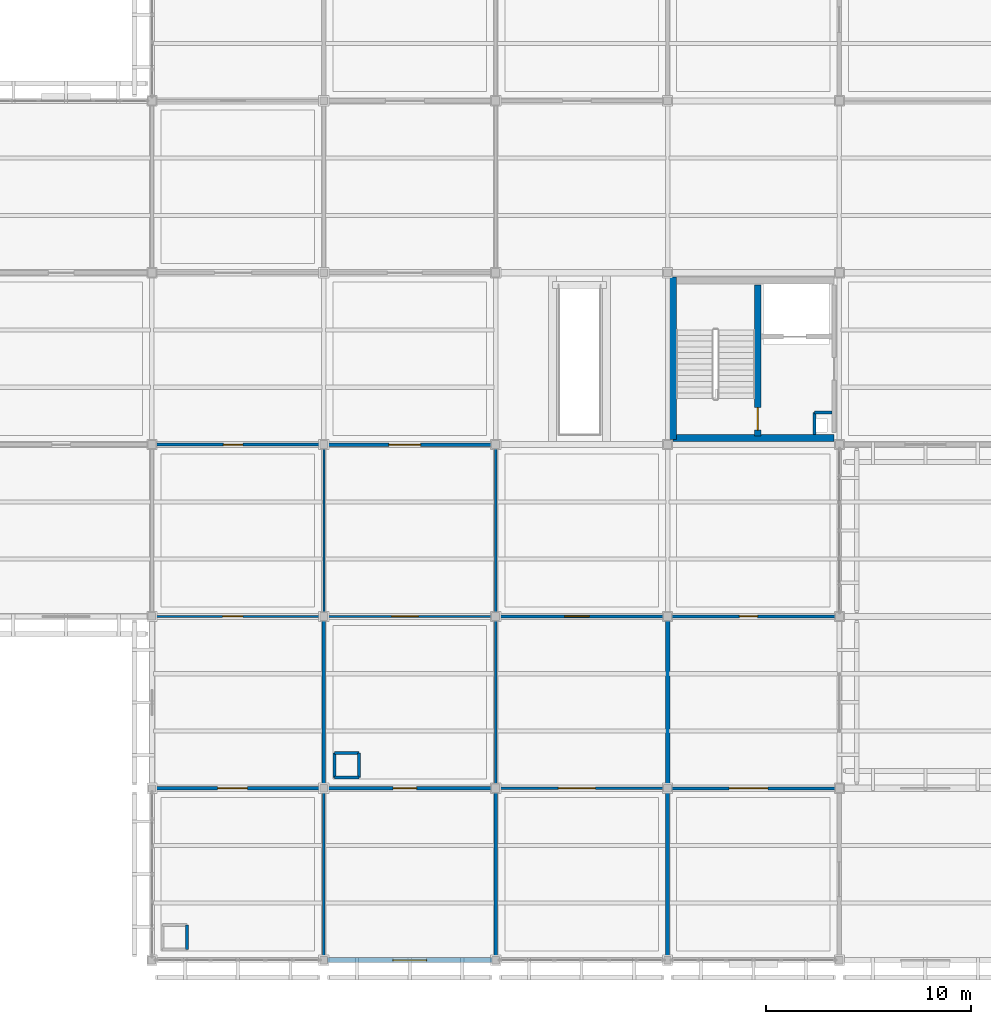
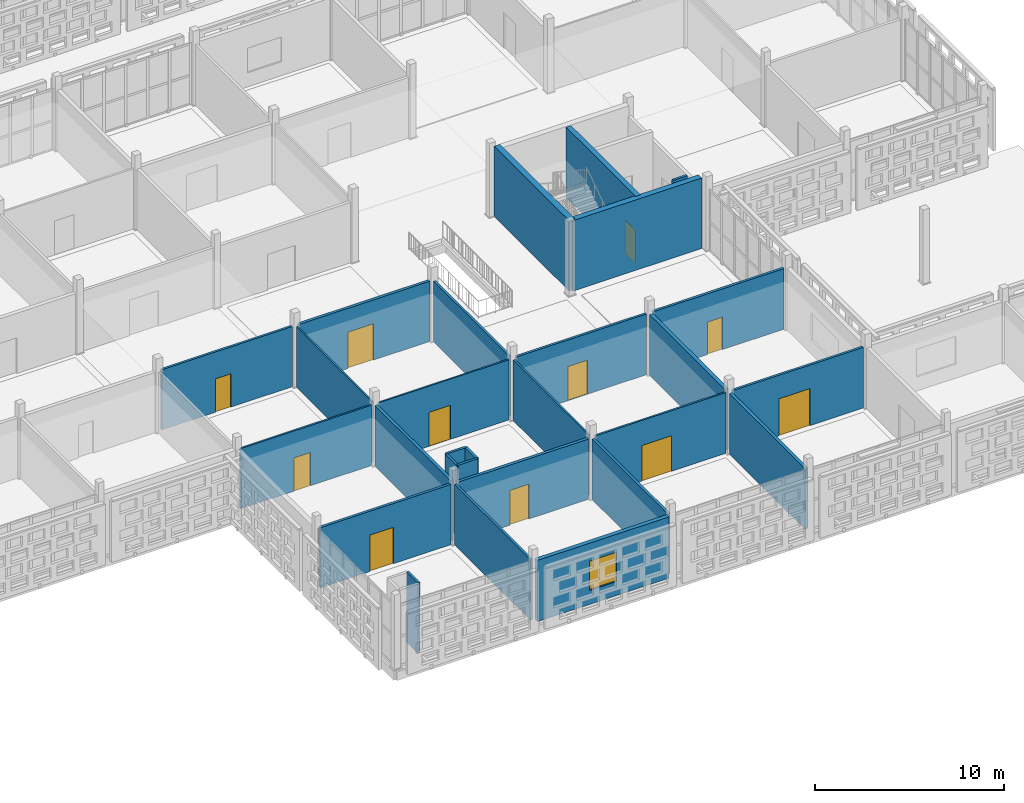
# One storey, part 124 of 203: 29 walls, 11 doors, 1 window, 12 openings.
"""IFC4 building model written with IfcOpenShell, lengths in metres."""

from ifc_helpers import new_model, si_unit, direction, frame, frame_2d, origin, place, context, subcontext, project, spatial, rectangle, extrude, material, layer, layer_set, type_object, element, fill, save


model = new_model("IFC4")

# Units and contexts
model_context = context("Model", 3, precision=1e-05, world=origin(), true_north=direction((0.0, 1.0)))
body_context = subcontext(model_context, "Body", "Model", "MODEL_VIEW")
ifc_project = project(units=[si_unit("LENGTHUNIT", "METRE"), si_unit("AREAUNIT", "SQUARE_METRE"), si_unit("VOLUMEUNIT", "CUBIC_METRE"), si_unit("PLANEANGLEUNIT", "RADIAN"), si_unit("MASSUNIT", "GRAM", prefix="KILO")], contexts=[model_context])

# Site, building, storey
site_placement = place(None, origin())
site = spatial("IfcSite", under=ifc_project, at=site_placement, CompositionType="ELEMENT")
building_placement = place(site_placement, origin())
building = spatial("IfcBuilding", under=site, at=building_placement, Name="Varnapada Polytechnic", CompositionType="ELEMENT")
storey_placement = place(building_placement, frame((0.0, 0.0, 4.800048828125)))
storey = spatial("IfcBuildingStorey", under=building, at=storey_placement, Name="L01", CompositionType="ELEMENT", Elevation=4.800048828125)

# Walls
ifc_material_1 = material(Name="Autoclaved Aerated Concrete Block AAC-600", Category="concrete")
ifc_layer_1 = layer(ifc_material_1, 0.14990234375)
ifc_layer_set_1 = layer_set([ifc_layer_1], Name="Autoclaved Aerated Concrete Block AAC-600")
wall_type_1 = type_object("IfcWallType", Name="Interior Wall IW-02", PredefinedType="PARTITIONING", material=ifc_layer_set_1)
wall_1_placement = place(storey_placement, frame((158.3798828125, 26.760009765625, 0.0), z_axis=(0.0, 0.0, 1.0), x_axis=(0.0, -1.0, 0.0)))
element("IfcWall", 1, at=wall_1_placement, inside=storey, type_object=wall_type_1, Name="L01 C6 riser shaft west wall", PredefinedType="PARTITIONING", context=body_context, shape_type="SweptSolid", body=[
    extrude(rectangle(XDim=1.06005859375, YDim=0.14990234375, at=frame_2d((0.530029296875, 0.0))), origin(), (0.0, 0.0, 1.0), 3.919921875),
])
wall_2_placement = place(storey_placement, frame((158.3798828125, 26.760009765625, 0.0), z_axis=(0.0, 0.0, 1.0), x_axis=(1.0, 0.0, 0.0)))
element("IfcWall", 2, at=wall_2_placement, inside=storey, type_object=wall_type_1, Name="L01 C6 riser shaft north wall", PredefinedType="PARTITIONING", context=body_context, shape_type="SweptSolid", body=[
    extrude(rectangle(XDim=0.860107421875, YDim=0.14990234375, at=frame_2d((0.43017578125, 0.0))), origin(), (0.0, 0.0, 1.0), 3.919921875),
])
wall_3_placement = place(storey_placement, frame((127.719970703125, 0.52001953125, 0.0), z_axis=(0.0, 0.0, 1.0), x_axis=(0.0, 1.0, 0.0)))
element("IfcWall", 3, at=wall_3_placement, inside=storey, type_object=wall_type_1, Name="L01 enclosed service riser wall (16,1) E", PredefinedType="PARTITIONING", context=body_context, shape_type="SweptSolid", body=[
    extrude(rectangle(XDim=1.199951171875, YDim=0.14990234375, at=frame_2d((0.60009765625, 0.0))), origin(), (0.0, 0.0, 1.0), 4.530029296875),
])
for number, where, z_axis, x_axis, name in (
    (4, (134.919921875, 8.919921875, 0.0), (0.0, 0.0, 1.0), (1.0, 0.0, 0.0), "L01 enclosed service riser wall (17,2) S"),
    (5, (136.1201171875, 8.919921875, 0.0), (0.0, 0.0, 1.0), (0.0, 1.0, 0.0), "L01 enclosed service riser wall (17,2) E"),
    (6, (136.1201171875, 10.1201171875, 0.0), (0.0, 0.0, 1.0), (-1.0, 0.0, 0.0), "L01 enclosed service riser wall (17,2) N"),
    (7, (134.919921875, 10.1201171875, 0.0), (0.0, 0.0, 1.0), (0.0, -1.0, 0.0), "L01 enclosed service riser wall (17,2) W"),
):
    element("IfcWall", number, at=place(storey_placement, frame(where, z_axis=z_axis, x_axis=x_axis)), inside=storey, type_object=wall_type_1, Name=name, PredefinedType="PARTITIONING", context=body_context, shape_type="SweptSolid", body=[
        extrude(rectangle(XDim=1.2001953125, YDim=0.14990234375, at=frame_2d((0.60009765625, 0.0))), origin(), (0.0, 0.0, 1.0), 4.550048828125),
    ])
ifc_material_2 = material(Name="Moisture-Resistant Cement Board Partition")
ifc_layer_2 = layer(ifc_material_2, 0.139892578125)
ifc_layer_set_2 = layer_set([ifc_layer_2], Name="Moisture-Resistant Cement Board Partition")
wall_type_2 = type_object("IfcWallType", Name="Interior Wall IW-04", PredefinedType="PARTITIONING", material=ifc_layer_set_2)
wall_4_placement = place(storey_placement, frame((134.39990234375, 0.199951171875, 0.0), z_axis=(0.0, 0.0, 1.0), x_axis=(0.0, 1.0, 0.0)))
element("IfcWall", 8, at=wall_4_placement, inside=storey, type_object=wall_type_2, Name="L01 interior partition IW-L01-15-00-V", PredefinedType="PARTITIONING", context=body_context, shape_type="SweptSolid", body=[
    extrude(rectangle(XDim=7.989990234375, YDim=0.139892578125, at=frame_2d((3.9951171875, 0.0))), origin(), (0.0, 0.0, 1.0), 3.919921875),
])

# Wall, opening, door
ifc_material_3 = material(Name="Cross-laminated timber CLT C24", Category="wood")
ifc_layer_3 = layer(ifc_material_3, 0.159912109375)
ifc_layer_set_3 = layer_set([ifc_layer_3], Name="Cross-laminated timber CLT C24")
wall_type_3 = type_object("IfcWallType", Name="Interior Wall IW-05", PredefinedType="PARTITIONING", material=ifc_layer_set_3)
wall_5_placement = place(storey_placement, frame((126.18994140625, 8.39990234375, 0.0), z_axis=(0.0, 0.0, 1.0), x_axis=(1.0, 0.0, 0.0)))
wall_5 = element("IfcWall", 9, at=wall_5_placement, inside=storey, type_object=wall_type_3, Name="L01 interior partition IW-L01-15-00-H", PredefinedType="PARTITIONING", context=body_context, shape_type="SweptSolid", body=[
    extrude(rectangle(XDim=8.0, YDim=0.159912109375, at=frame_2d((4.0, 0.0))), origin(), (0.0, 0.0, 1.0), 3.889892578125),
])
opening_1_placement = place(wall_5_placement, frame((3.02490234375, 0.0, 0.0)))
opening_1 = element("IfcOpeningElement", 10, at=opening_1_placement, cuts=wall_5, Name="Opening D-1036", PredefinedType="OPENING", context=body_context, shape_type="SweptSolid", body=[
    extrude(rectangle(XDim=1.449951171875, YDim=2.35009765625, at=frame_2d((0.72509765625, 1.175048828125))), frame((0.0, 0.08984375, 0.0), z_axis=(0.0, -1.0, 0.0), x_axis=(1.0, 0.0, 0.0)), (0.0, 0.0, 1.0), 0.179931640625),
])
ifc_material_4 = material(Name="Galvanized Steel Z275", Category="steel")
door_type_1 = type_object("IfcDoorType", Name="Interior Door ID-18", OperationType="NOTDEFINED", PredefinedType="DOOR", material=ifc_material_4)
door_1_placement = place(opening_1_placement, origin())
door_1 = element("IfcDoor", 11, at=door_1_placement, inside=storey, type_object=door_type_1, Name="L01 interior room door D-1036", OperationType="SINGLE_SWING_LEFT", OverallHeight=2.35009765625, OverallWidth=1.449951171875, PredefinedType="DOOR", context=body_context, shape_type="SweptSolid", body=[
    extrude(rectangle(XDim=1.449951171875, YDim=2.35009765625, at=frame_2d((0.72509765625, 1.175048828125))), frame((0.0, 0.02490234375, 0.0), z_axis=(0.0, -1.0, 0.0), x_axis=(1.0, 0.0, 0.0)), (0.0, 0.0, 1.0), 0.050048828125),
])
fill(opening_1, door_1)

# Walls
wall_6_placement = place(storey_placement, frame((142.800048828125, 0.199951171875, 0.0), z_axis=(0.0, 0.0, 1.0), x_axis=(0.0, 1.0, 0.0)))
element("IfcWall", 12, at=wall_6_placement, inside=storey, type_object=wall_type_3, Name="L01 interior partition IW-L01-16-00-V", PredefinedType="PARTITIONING", context=body_context, shape_type="SweptSolid", body=[
    extrude(rectangle(XDim=7.97998046875, YDim=0.159912109375, at=frame_2d((3.989990234375, 0.0))), origin(), (0.0, 0.0, 1.0), 3.919921875),
])
ifc_material_5 = material(Name="Acoustic Double-Stud Studio Partition")
ifc_layer_4 = layer(ifc_material_5, 0.179931640625)
ifc_layer_set_4 = layer_set([ifc_layer_4], Name="Acoustic Double-Stud Studio Partition")
wall_type_4 = type_object("IfcWallType", Name="Interior Wall IW-06", PredefinedType="PARTITIONING", material=ifc_layer_set_4)
wall_7_placement = place(storey_placement, frame((134.39990234375, 8.610107421875, 0.0), z_axis=(0.0, 0.0, 1.0), x_axis=(0.0, 1.0, 0.0)))
element("IfcWall", 13, at=wall_7_placement, inside=storey, type_object=wall_type_4, Name="L01 interior partition IW-L01-15-01-V", PredefinedType="PARTITIONING", context=body_context, shape_type="SweptSolid", body=[
    extrude(rectangle(XDim=7.97998046875, YDim=0.179931640625, at=frame_2d((3.989990234375, 0.0))), origin(), (0.0, 0.0, 1.0), 3.919921875),
])

# Wall, opening, door
wall_8_placement = place(storey_placement, frame((134.610107421875, 8.39990234375, 0.0), z_axis=(0.0, 0.0, 1.0), x_axis=(1.0, 0.0, 0.0)))
wall_8 = element("IfcWall", 14, at=wall_8_placement, inside=storey, type_object=wall_type_4, Name="L01 interior partition IW-L01-16-00-H", PredefinedType="PARTITIONING", context=body_context, shape_type="SweptSolid", body=[
    extrude(rectangle(XDim=7.969970703125, YDim=0.179931640625, at=frame_2d((3.98486328125, 0.0))), origin(), (0.0, 0.0, 1.0), 3.889892578125),
])
opening_2_placement = place(wall_8_placement, frame((3.175048828125, 0.0, 0.0)))
opening_2 = element("IfcOpeningElement", 15, at=opening_2_placement, cuts=wall_8, Name="Opening D-1045", PredefinedType="OPENING", context=body_context, shape_type="SweptSolid", body=[
    extrude(rectangle(XDim=1.14990234375, YDim=2.25, at=frame_2d((0.574951171875, 1.125))), frame((0.0, 0.099853515625, 0.0), z_axis=(0.0, -1.0, 0.0), x_axis=(1.0, 0.0, 0.0)), (0.0, 0.0, 1.0), 0.199951171875),
])
ifc_material_6 = material(Name="Powder-Coated Aluminium 6063-T6", Category="aluminium")
door_type_2 = type_object("IfcDoorType", Name="Interior Door ID-10", OperationType="NOTDEFINED", PredefinedType="DOOR", material=ifc_material_6)
door_2_placement = place(opening_2_placement, origin())
door_2 = element("IfcDoor", 16, at=door_2_placement, inside=storey, type_object=door_type_2, Name="L01 interior room door D-1045", OperationType="SINGLE_SWING_RIGHT", OverallHeight=2.25, OverallWidth=1.14990234375, PredefinedType="DOOR", context=body_context, shape_type="SweptSolid", body=[
    extrude(rectangle(XDim=1.14990234375, YDim=2.25, at=frame_2d((0.574951171875, 1.125))), frame((0.0, 0.02490234375, 0.0), z_axis=(0.0, -1.0, 0.0), x_axis=(1.0, 0.0, 0.0)), (0.0, 0.0, 1.0), 0.050048828125),
])
fill(opening_2, door_2)

ifc_material_7 = material(Name="Glazed Timber-Framed Studio Screen", Category="wood")
ifc_layer_5 = layer(ifc_material_7, 0.110107421875)
ifc_layer_set_5 = layer_set([ifc_layer_5], Name="Glazed Timber-Framed Studio Screen")
wall_type_5 = type_object("IfcWallType", Name="Interior Wall IW-07", PredefinedType="PARTITIONING", material=ifc_layer_set_5)
wall_9_placement = place(storey_placement, frame((126.199951171875, 16.800048828125, 0.0), z_axis=(0.0, 0.0, 1.0), x_axis=(1.0, 0.0, 0.0)))
wall_9 = element("IfcWall", 17, at=wall_9_placement, inside=storey, type_object=wall_type_5, Name="L01 interior partition IW-L01-15-01-H", PredefinedType="PARTITIONING", context=body_context, shape_type="SweptSolid", body=[
    extrude(rectangle(XDim=7.989990234375, YDim=0.110107421875, at=frame_2d((3.9951171875, 0.0))), origin(), (0.0, 0.0, 1.0), 3.889892578125),
])
opening_3_placement = place(wall_9_placement, frame((3.25, 0.0, 0.0)))
opening_3 = element("IfcOpeningElement", 18, at=opening_3_placement, cuts=wall_9, Name="Opening D-1037", PredefinedType="OPENING", context=body_context, shape_type="SweptSolid", body=[
    extrude(rectangle(XDim=1.0, YDim=2.14990234375, at=frame_2d((0.5, 1.074951171875))), frame((0.0, 0.06494140625, 0.0), z_axis=(0.0, -1.0, 0.0), x_axis=(1.0, 0.0, 0.0)), (0.0, 0.0, 1.0), 0.130126953125),
])
ifc_material_8 = material(Name="Solid Teak Hardwood Timber", Category="wood")
door_type_3 = type_object("IfcDoorType", Name="Interior Door ID-02", OperationType="NOTDEFINED", PredefinedType="DOOR", material=ifc_material_8)
door_3_placement = place(opening_3_placement, frame((1.0, 0.0, 0.0), z_axis=(0.0, 0.0, 1.0), x_axis=(-1.0, 0.0, 0.0)))
door_3 = element("IfcDoor", 19, at=door_3_placement, inside=storey, type_object=door_type_3, Name="L01 interior room door D-1037", OperationType="SINGLE_SWING_RIGHT", OverallHeight=2.14990234375, OverallWidth=1.0, PredefinedType="DOOR", context=body_context, shape_type="SweptSolid", body=[
    extrude(rectangle(XDim=1.0, YDim=2.14990234375, at=frame_2d((0.5, 1.074951171875))), frame((0.0, 0.02490234375, 0.0), z_axis=(0.0, -1.0, 0.0), x_axis=(1.0, 0.0, 0.0)), (0.0, 0.0, 1.0), 0.050048828125),
])
fill(opening_3, door_3)

# Walls
wall_10_placement = place(storey_placement, frame((142.800048828125, 8.6201171875, 0.0), z_axis=(0.0, 0.0, 1.0), x_axis=(0.0, 1.0, 0.0)))
element("IfcWall", 20, at=wall_10_placement, inside=storey, type_object=wall_type_5, Name="L01 interior partition IW-L01-16-01-V", PredefinedType="PARTITIONING", context=body_context, shape_type="SweptSolid", body=[
    extrude(rectangle(XDim=7.9599609375, YDim=0.110107421875, at=frame_2d((3.97998046875, 0.0))), origin(), (0.0, 0.0, 1.0), 3.919921875),
])
ifc_material_9 = material(Name="Operable Acoustic Seminar Partition")
ifc_layer_6 = layer(ifc_material_9, 0.10009765625)
ifc_layer_set_6 = layer_set([ifc_layer_6], Name="Operable Acoustic Seminar Partition")
wall_type_6 = type_object("IfcWallType", Name="Interior Wall IW-08", PredefinedType="MOVABLE", material=ifc_layer_set_6)
wall_11_placement = place(storey_placement, frame((134.39990234375, 17.010009765625, 0.0), z_axis=(0.0, 0.0, 1.0), x_axis=(0.0, 1.0, 0.0)))
element("IfcWall", 21, at=wall_11_placement, inside=storey, type_object=wall_type_6, Name="L01 interior partition IW-L01-15-02-V", PredefinedType="MOVABLE", context=body_context, shape_type="SweptSolid", body=[
    extrude(rectangle(XDim=7.97998046875, YDim=0.10009765625, at=frame_2d((3.989990234375, 0.0))), origin(), (0.0, 0.0, 1.0), 3.919921875),
])

# Wall, opening, door
wall_12_placement = place(storey_placement, frame((134.610107421875, 16.800048828125, 0.0), z_axis=(0.0, 0.0, 1.0), x_axis=(1.0, 0.0, 0.0)))
wall_12 = element("IfcWall", 22, at=wall_12_placement, inside=storey, type_object=wall_type_6, Name="L01 interior partition IW-L01-16-01-H", PredefinedType="MOVABLE", context=body_context, shape_type="SweptSolid", body=[
    extrude(rectangle(XDim=7.969970703125, YDim=0.10009765625, at=frame_2d((3.98486328125, 0.0))), origin(), (0.0, 0.0, 1.0), 3.889892578125),
])
opening_4_placement = place(wall_12_placement, frame((3.10009765625, 0.0, 0.0)))
opening_4 = element("IfcOpeningElement", 23, at=opening_4_placement, cuts=wall_12, Name="Opening D-1046", PredefinedType="OPENING", context=body_context, shape_type="SweptSolid", body=[
    extrude(rectangle(XDim=1.300048828125, YDim=2.199951171875, at=frame_2d((0.64990234375, 1.10009765625))), frame((0.0, 0.06005859375, 0.0), z_axis=(0.0, -1.0, 0.0), x_axis=(1.0, 0.0, 0.0)), (0.0, 0.0, 1.0), 0.1201171875),
])
ifc_material_10 = material(Name="Acoustic Laminated Timber Leaf", Category="wood")
door_type_4 = type_object("IfcDoorType", Name="Interior Door ID-11", OperationType="NOTDEFINED", PredefinedType="DOOR", material=ifc_material_10)
door_4_placement = place(opening_4_placement, frame((1.300048828125, 0.0, 0.0), z_axis=(0.0, 0.0, 1.0), x_axis=(-1.0, 0.0, 0.0)))
door_4 = element("IfcDoor", 24, at=door_4_placement, inside=storey, type_object=door_type_4, Name="L01 interior room door D-1046", OperationType="SINGLE_SWING_LEFT", OverallHeight=2.199951171875, OverallWidth=1.300048828125, PredefinedType="DOOR", context=body_context, shape_type="SweptSolid", body=[
    extrude(rectangle(XDim=1.300048828125, YDim=2.199951171875, at=frame_2d((0.64990234375, 1.10009765625))), frame((0.0, 0.02490234375, 0.0), z_axis=(0.0, -1.0, 0.0), x_axis=(1.0, 0.0, 0.0)), (0.0, 0.0, 1.0), 0.050048828125),
])
fill(opening_4, door_4)

ifc_material_11 = material(Name="Calcium Silicate Acoustic Lab Partition")
ifc_layer_7 = layer(ifc_material_11, 0.135009765625)
ifc_layer_set_7 = layer_set([ifc_layer_7], Name="Calcium Silicate Acoustic Lab Partition")
wall_type_7 = type_object("IfcWallType", Name="Interior Wall IW-09", PredefinedType="PARTITIONING", material=ifc_layer_set_7)
wall_13_placement = place(storey_placement, frame((126.219970703125, 25.199951171875, 0.0), z_axis=(0.0, 0.0, 1.0), x_axis=(1.0, 0.0, 0.0)))
wall_13 = element("IfcWall", 25, at=wall_13_placement, inside=storey, type_object=wall_type_7, Name="L01 interior partition IW-L01-15-02-H", PredefinedType="PARTITIONING", context=body_context, shape_type="SweptSolid", body=[
    extrude(rectangle(XDim=7.969970703125, YDim=0.135009765625, at=frame_2d((3.98486328125, 0.0))), origin(), (0.0, 0.0, 1.0), 3.889892578125),
])
opening_5_placement = place(wall_13_placement, frame((3.27490234375, 0.0, 0.0)))
opening_5 = element("IfcOpeningElement", 26, at=opening_5_placement, cuts=wall_13, Name="Opening D-1038", PredefinedType="OPENING", context=body_context, shape_type="SweptSolid", body=[
    extrude(rectangle(XDim=0.949951171875, YDim=2.14990234375, at=frame_2d((0.47509765625, 1.074951171875))), frame((0.0, 0.077392578125, 0.0), z_axis=(0.0, -1.0, 0.0), x_axis=(1.0, 0.0, 0.0)), (0.0, 0.0, 1.0), 0.155029296875),
])
ifc_material_12 = material(Name="Moisture-Resistant HPL Timber", Category="wood")
door_type_5 = type_object("IfcDoorType", Name="Interior Door ID-03", OperationType="NOTDEFINED", PredefinedType="DOOR", material=ifc_material_12)
door_5_placement = place(opening_5_placement, origin())
door_5 = element("IfcDoor", 27, at=door_5_placement, inside=storey, type_object=door_type_5, Name="L01 interior room door D-1038", OperationType="SINGLE_SWING_LEFT", OverallHeight=2.14990234375, OverallWidth=0.949951171875, PredefinedType="DOOR", context=body_context, shape_type="SweptSolid", body=[
    extrude(rectangle(XDim=0.949951171875, YDim=2.14990234375, at=frame_2d((0.47509765625, 1.074951171875))), frame((0.0, 0.02490234375, 0.0), z_axis=(0.0, -1.0, 0.0), x_axis=(1.0, 0.0, 0.0)), (0.0, 0.0, 1.0), 0.050048828125),
])
fill(opening_5, door_5)

# Wall
wall_14_placement = place(storey_placement, frame((142.800048828125, 17.02001953125, 0.0), z_axis=(0.0, 0.0, 1.0), x_axis=(0.0, 1.0, 0.0)))
element("IfcWall", 28, at=wall_14_placement, inside=storey, type_object=wall_type_7, Name="L01 interior partition IW-L01-16-02-V", PredefinedType="PARTITIONING", context=body_context, shape_type="SweptSolid", body=[
    extrude(rectangle(XDim=7.9599609375, YDim=0.135009765625, at=frame_2d((3.97998046875, 0.0))), origin(), (0.0, 0.0, 1.0), 3.919921875),
])

# Wall, opening, door
ifc_material_13 = material(Name="Double-Layer Fireboard Workshop Wall")
ifc_layer_8 = layer(ifc_material_13, 0.169921875)
ifc_layer_set_8 = layer_set([ifc_layer_8], Name="Double-Layer Fireboard Workshop Wall")
wall_type_8 = type_object("IfcWallType", Name="Interior Wall IW-10", PredefinedType="PARTITIONING", material=ifc_layer_set_8)
wall_15_placement = place(storey_placement, frame((134.610107421875, 25.199951171875, 0.0), z_axis=(0.0, 0.0, 1.0), x_axis=(1.0, 0.0, 0.0)))
wall_15 = element("IfcWall", 29, at=wall_15_placement, inside=storey, type_object=wall_type_8, Name="L01 interior partition IW-L01-16-02-H", PredefinedType="PARTITIONING", context=body_context, shape_type="SweptSolid", body=[
    extrude(rectangle(XDim=7.969970703125, YDim=0.169921875, at=frame_2d((3.98486328125, 0.0))), origin(), (0.0, 0.0, 1.0), 3.889892578125),
])
opening_6_placement = place(wall_15_placement, frame((2.97509765625, 0.0, 0.0)))
opening_6 = element("IfcOpeningElement", 30, at=opening_6_placement, cuts=wall_15, Name="Opening D-1047", PredefinedType="OPENING", context=body_context, shape_type="SweptSolid", body=[
    extrude(rectangle(XDim=1.550048828125, YDim=2.35009765625, at=frame_2d((0.77490234375, 1.175048828125))), frame((0.0, 0.094970703125, 0.0), z_axis=(0.0, -1.0, 0.0), x_axis=(1.0, 0.0, 0.0)), (0.0, 0.0, 1.0), 0.18994140625),
])
door_type_6 = type_object("IfcDoorType", Name="Interior Door ID-12", OperationType="NOTDEFINED", PredefinedType="DOOR", material=ifc_material_4)
door_6_placement = place(opening_6_placement, origin())
door_6 = element("IfcDoor", 31, at=door_6_placement, inside=storey, type_object=door_type_6, Name="L01 interior room door D-1047", OperationType="SINGLE_SWING_RIGHT", OverallHeight=2.35009765625, OverallWidth=1.550048828125, PredefinedType="DOOR", context=body_context, shape_type="SweptSolid", body=[
    extrude(rectangle(XDim=1.550048828125, YDim=2.35009765625, at=frame_2d((0.77490234375, 1.175048828125))), frame((0.0, 0.02490234375, 0.0), z_axis=(0.0, -1.0, 0.0), x_axis=(1.0, 0.0, 0.0)), (0.0, 0.0, 1.0), 0.050048828125),
])
fill(opening_6, door_6)

# Wall
ifc_material_14 = material(Name="Insulated Masonry Plant Room Wall", Category="masonry")
ifc_layer_9 = layer(ifc_material_14, 0.18994140625)
ifc_layer_set_9 = layer_set([ifc_layer_9], Name="Insulated Masonry Plant Room Wall")
wall_type_9 = type_object("IfcWallType", Name="Interior Wall IW-11", PredefinedType="PARTITIONING", material=ifc_layer_set_9)
wall_16_placement = place(storey_placement, frame((151.199951171875, 0.199951171875, 0.0), z_axis=(0.0, 0.0, 1.0), x_axis=(0.0, 1.0, 0.0)))
element("IfcWall", 32, at=wall_16_placement, inside=storey, type_object=wall_type_9, Name="L01 interior partition IW-L01-17-00-V", PredefinedType="PARTITIONING", context=body_context, shape_type="SweptSolid", body=[
    extrude(rectangle(XDim=7.989990234375, YDim=0.18994140625, at=frame_2d((3.9951171875, 0.0))), origin(), (0.0, 0.0, 1.0), 3.919921875),
])

# Wall, opening, door
ifc_material_15 = material(Name="Timber-Stud Studio Critique Partition", Category="wood")
ifc_layer_10 = layer(ifc_material_15, 0.114990234375)
ifc_layer_set_10 = layer_set([ifc_layer_10], Name="Timber-Stud Studio Critique Partition")
wall_type_10 = type_object("IfcWallType", Name="Interior Wall IW-12", PredefinedType="PARTITIONING", material=ifc_layer_set_10)
wall_17_placement = place(storey_placement, frame((143.02001953125, 8.39990234375, 0.0), z_axis=(0.0, 0.0, 1.0), x_axis=(1.0, 0.0, 0.0)))
wall_17 = element("IfcWall", 33, at=wall_17_placement, inside=storey, type_object=wall_type_10, Name="L01 interior partition IW-L01-17-00-H", PredefinedType="PARTITIONING", context=body_context, shape_type="SweptSolid", body=[
    extrude(rectangle(XDim=7.969970703125, YDim=0.114990234375, at=frame_2d((3.98486328125, 0.0))), origin(), (0.0, 0.0, 1.0), 3.919921875),
])
opening_7_placement = place(wall_17_placement, frame((2.85009765625, 0.0, 0.0)))
opening_7 = element("IfcOpeningElement", 34, at=opening_7_placement, cuts=wall_17, Name="Opening D-1056", PredefinedType="OPENING", context=body_context, shape_type="SweptSolid", body=[
    extrude(rectangle(XDim=1.800048828125, YDim=2.300048828125, at=frame_2d((0.89990234375, 1.14990234375))), frame((0.0, 0.0673828125, 0.0), z_axis=(0.0, -1.0, 0.0), x_axis=(1.0, 0.0, 0.0)), (0.0, 0.0, 1.0), 0.135009765625),
])
ifc_material_16 = material(Name="Acoustic Double Timber Leaf", Category="wood")
door_type_7 = type_object("IfcDoorType", Name="Interior Door ID-04", OperationType="NOTDEFINED", PredefinedType="DOOR", material=ifc_material_16)
door_7_placement = place(opening_7_placement, origin())
door_7 = element("IfcDoor", 35, at=door_7_placement, inside=storey, type_object=door_type_7, Name="L01 interior room door D-1056", OperationType="SINGLE_SWING_LEFT", OverallHeight=2.300048828125, OverallWidth=1.800048828125, PredefinedType="DOOR", context=body_context, shape_type="SweptSolid", body=[
    extrude(rectangle(XDim=1.800048828125, YDim=2.300048828125, at=frame_2d((0.89990234375, 1.14990234375))), frame((0.0, 0.02490234375, 0.0), z_axis=(0.0, -1.0, 0.0), x_axis=(1.0, 0.0, 0.0)), (0.0, 0.0, 1.0), 0.050048828125),
])
fill(opening_7, door_7)

# Wall
ifc_material_17 = material(Name="Heavy Acoustic Auditorium Baffle Wall")
ifc_layer_11 = layer(ifc_material_17, 0.219970703125)
ifc_layer_set_11 = layer_set([ifc_layer_11], Name="Heavy Acoustic Auditorium Baffle Wall")
wall_type_11 = type_object("IfcWallType", Name="Interior Wall IW-13", PredefinedType="PARTITIONING", material=ifc_layer_set_11)
wall_18_placement = place(storey_placement, frame((151.199951171875, 8.610107421875, 0.0), z_axis=(0.0, 0.0, 1.0), x_axis=(0.0, 1.0, 0.0)))
element("IfcWall", 36, at=wall_18_placement, inside=storey, type_object=wall_type_11, Name="L01 interior partition IW-L01-17-01-V", PredefinedType="PARTITIONING", context=body_context, shape_type="SweptSolid", body=[
    extrude(rectangle(XDim=7.97998046875, YDim=0.219970703125, at=frame_2d((3.989990234375, 0.0))), origin(), (0.0, 0.0, 1.0), 3.919921875),
])

# Wall, opening, door
ifc_material_18 = material(Name="Ceramic-Tiled Wet Laboratory Wall")
ifc_layer_12 = layer(ifc_material_18, 0.14501953125)
ifc_layer_set_12 = layer_set([ifc_layer_12], Name="Ceramic-Tiled Wet Laboratory Wall")
wall_type_12 = type_object("IfcWallType", Name="Interior Wall IW-14", PredefinedType="PARTITIONING", material=ifc_layer_set_12)
wall_19_placement = place(storey_placement, frame((143.02001953125, 16.800048828125, 0.0), z_axis=(0.0, 0.0, 1.0), x_axis=(1.0, 0.0, 0.0)))
wall_19 = element("IfcWall", 37, at=wall_19_placement, inside=storey, type_object=wall_type_12, Name="L01 interior partition IW-L01-17-01-H", PredefinedType="PARTITIONING", context=body_context, shape_type="SweptSolid", body=[
    extrude(rectangle(XDim=7.969970703125, YDim=0.14501953125, at=frame_2d((3.98486328125, 0.0))), origin(), (0.0, 0.0, 1.0), 3.919921875),
])
opening_8_placement = place(wall_19_placement, frame((3.14990234375, 0.0, 0.0)))
opening_8 = element("IfcOpeningElement", 38, at=opening_8_placement, cuts=wall_19, Name="Opening D-1057", PredefinedType="OPENING", context=body_context, shape_type="SweptSolid", body=[
    extrude(rectangle(XDim=1.199951171875, YDim=2.199951171875, at=frame_2d((0.60009765625, 1.10009765625))), frame((0.0, 0.08251953125, 0.0), z_axis=(0.0, -1.0, 0.0), x_axis=(1.0, 0.0, 0.0)), (0.0, 0.0, 1.0), 0.1650390625),
])
door_type_8 = type_object("IfcDoorType", Name="Interior Door ID-05", OperationType="NOTDEFINED", PredefinedType="DOOR", material=ifc_material_8)
door_8_placement = place(opening_8_placement, origin())
door_8 = element("IfcDoor", 39, at=door_8_placement, inside=storey, type_object=door_type_8, Name="L01 interior room door D-1057", OperationType="SINGLE_SWING_RIGHT", OverallHeight=2.199951171875, OverallWidth=1.199951171875, PredefinedType="DOOR", context=body_context, shape_type="SweptSolid", body=[
    extrude(rectangle(XDim=1.199951171875, YDim=2.199951171875, at=frame_2d((0.60009765625, 1.10009765625))), frame((0.0, 0.02490234375, 0.0), z_axis=(0.0, -1.0, 0.0), x_axis=(1.0, 0.0, 0.0)), (0.0, 0.0, 1.0), 0.050048828125),
])
fill(opening_8, door_8)

wall_20_placement = place(storey_placement, frame((151.409912109375, 8.39990234375, 0.0), z_axis=(0.0, 0.0, 1.0), x_axis=(1.0, 0.0, 0.0)))
wall_20 = element("IfcWall", 40, at=wall_20_placement, inside=storey, type_object=wall_type_12, Name="L01 interior partition IW-L01-18-00-H", PredefinedType="PARTITIONING", context=body_context, shape_type="SweptSolid", body=[
    extrude(rectangle(XDim=7.969970703125, YDim=0.14501953125, at=frame_2d((3.98486328125, 0.0))), origin(), (0.0, 0.0, 1.0), 3.919921875),
])
opening_9_placement = place(wall_20_placement, frame((2.800048828125, 0.0, 0.0)))
opening_9 = element("IfcOpeningElement", 41, at=opening_9_placement, cuts=wall_20, Name="Opening D-1066", PredefinedType="OPENING", context=body_context, shape_type="SweptSolid", body=[
    extrude(rectangle(XDim=1.89990234375, YDim=2.39990234375, at=frame_2d((0.949951171875, 1.199951171875))), frame((0.0, 0.08251953125, 0.0), z_axis=(0.0, -1.0, 0.0), x_axis=(1.0, 0.0, 0.0)), (0.0, 0.0, 1.0), 0.1650390625),
])
ifc_material_19 = material(Name="Heavy Workshop Double Steel Door", Category="steel")
door_type_9 = type_object("IfcDoorType", Name="Interior Door ID-14", OperationType="NOTDEFINED", PredefinedType="DOOR", material=ifc_material_19)
door_9_placement = place(opening_9_placement, origin())
door_9 = element("IfcDoor", 42, at=door_9_placement, inside=storey, type_object=door_type_9, Name="L01 interior room door D-1066", OperationType="SINGLE_SWING_LEFT", OverallHeight=2.39990234375, OverallWidth=1.89990234375, PredefinedType="DOOR", context=body_context, shape_type="SweptSolid", body=[
    extrude(rectangle(XDim=1.89990234375, YDim=2.39990234375, at=frame_2d((0.949951171875, 1.199951171875))), frame((0.0, 0.02490234375, 0.0), z_axis=(0.0, -1.0, 0.0), x_axis=(1.0, 0.0, 0.0)), (0.0, 0.0, 1.0), 0.050048828125),
])
fill(opening_9, door_9)

ifc_material_20 = material(Name="Perforated Timber-Lined Seminar Wall", Category="wood")
ifc_layer_13 = layer(ifc_material_20, 0.155029296875)
ifc_layer_set_13 = layer_set([ifc_layer_13], Name="Perforated Timber-Lined Seminar Wall")
wall_type_13 = type_object("IfcWallType", Name="Interior Wall IW-15", PredefinedType="PARTITIONING", material=ifc_layer_set_13)
wall_21_placement = place(storey_placement, frame((151.409912109375, 16.800048828125, 0.0), z_axis=(0.0, 0.0, 1.0), x_axis=(1.0, 0.0, 0.0)))
wall_21 = element("IfcWall", 43, at=wall_21_placement, inside=storey, type_object=wall_type_13, Name="L01 interior partition IW-L01-18-01-H", PredefinedType="PARTITIONING", context=body_context, shape_type="SweptSolid", body=[
    extrude(rectangle(XDim=7.969970703125, YDim=0.155029296875, at=frame_2d((3.98486328125, 0.0))), origin(), (0.0, 0.0, 1.0), 3.919921875),
])
opening_10_placement = place(wall_21_placement, frame((3.300048828125, 0.0, 0.0)))
opening_10 = element("IfcOpeningElement", 44, at=opening_10_placement, cuts=wall_21, Name="Opening D-1067", PredefinedType="OPENING", context=body_context, shape_type="SweptSolid", body=[
    extrude(rectangle(XDim=0.89990234375, YDim=2.10009765625, at=frame_2d((0.449951171875, 1.050048828125))), frame((0.0, 0.08740234375, 0.0), z_axis=(0.0, -1.0, 0.0), x_axis=(1.0, 0.0, 0.0)), (0.0, 0.0, 1.0), 0.175048828125),
])
door_type_10 = type_object("IfcDoorType", Name="Interior Door ID-15", OperationType="NOTDEFINED", PredefinedType="DOOR", material=ifc_material_12)
door_10_placement = place(opening_10_placement, frame((0.89990234375, 0.0, 0.0), z_axis=(0.0, 0.0, 1.0), x_axis=(-1.0, 0.0, 0.0)))
door_10 = element("IfcDoor", 45, at=door_10_placement, inside=storey, type_object=door_type_10, Name="L01 interior room door D-1067", OperationType="SINGLE_SWING_RIGHT", OverallHeight=2.10009765625, OverallWidth=0.89990234375, PredefinedType="DOOR", context=body_context, shape_type="SweptSolid", body=[
    extrude(rectangle(XDim=0.89990234375, YDim=2.10009765625, at=frame_2d((0.449951171875, 1.050048828125))), frame((0.0, 0.02490234375, 0.0), z_axis=(0.0, -1.0, 0.0), x_axis=(1.0, 0.0, 0.0)), (0.0, 0.0, 1.0), 0.050048828125),
])
fill(opening_10, door_10)

# Walls
ifc_material_21 = material(Name="Concrete C40/50", Category="concrete")
ifc_layer_14 = layer(ifc_material_21, 0.35009765625)
ifc_layer_set_14 = layer_set([ifc_layer_14], Name="Concrete C40/50")
wall_type_14 = type_object("IfcWallType", Name="Interior Wall SW-01", PredefinedType="SHEAR", material=ifc_layer_set_14)
wall_22_placement = place(storey_placement, frame((151.465087890625, 25.449951171875, 0.0), z_axis=(0.0, 0.0, 1.0), x_axis=(0.0, 1.0, 0.0)))
element("IfcWall", 46, at=wall_22_placement, inside=storey, type_object=wall_type_14, Name="L01 C6 stair west shear wall", PredefinedType="SHEAR", context=body_context, shape_type="SweptSolid", body=[
    extrude(rectangle(XDim=7.93994140625, YDim=0.35009765625, at=frame_2d((3.969970703125, 0.0))), origin(), (0.0, 0.0, 1.0), 4.550048828125),
])
wall_23_placement = place(storey_placement, frame((159.340087890625, 25.52001953125, 0.0), z_axis=(0.0, 0.0, 1.0), x_axis=(-1.0, 0.0, 0.0)))
element("IfcWall", 47, at=wall_23_placement, inside=storey, type_object=wall_type_14, Name="L01 C6 core south shear wall", PredefinedType="SHEAR", context=body_context, shape_type="SweptSolid", body=[
    extrude(rectangle(XDim=7.875, YDim=0.35009765625, at=frame_2d((3.9375, 0.0))), origin(), (0.0, 0.0, 1.0), 4.550048828125),
])

# Wall, opening, door
ifc_layer_15 = layer(ifc_material_21, 0.300048828125)
ifc_layer_set_15 = layer_set([ifc_layer_15], Name="Concrete C40/50")
wall_type_15 = type_object("IfcWallType", Name="Interior Wall SW-02", PredefinedType="SHEAR", material=ifc_layer_set_15)
wall_24_placement = place(storey_placement, frame((155.610107421875, 25.6201171875, 0.0), z_axis=(0.0, 0.0, 1.0), x_axis=(0.0, 1.0, 0.0)))
wall_24 = element("IfcWall", 48, at=wall_24_placement, inside=storey, type_object=wall_type_15, Name="L01 C6 stair-lobby dividing shear wall", PredefinedType="SHEAR", context=body_context, shape_type="SweptSolid", body=[
    extrude(rectangle(XDim=7.3798828125, YDim=0.300048828125, at=frame_2d((3.68994140625, 0.0))), origin(), (0.0, 0.0, 1.0), 4.550048828125),
])
opening_11_placement = place(wall_24_placement, frame((0.280029296875, 0.0, 0.0)))
opening_11 = element("IfcOpeningElement", 49, at=opening_11_placement, cuts=wall_24, Name="Opening D-954", PredefinedType="OPENING", context=body_context, shape_type="SweptSolid", body=[
    extrude(rectangle(XDim=1.10009765625, YDim=2.14990234375, at=frame_2d((0.550048828125, 1.074951171875))), frame((0.0, 0.159912109375, 0.0), z_axis=(0.0, -1.0, 0.0), x_axis=(1.0, 0.0, 0.0)), (0.0, 0.0, 1.0), 0.320068359375),
])
door_type_11 = type_object("IfcDoorType", Name="Interior Door ID-01", OperationType="NOTDEFINED", PredefinedType="DOOR", material=ifc_material_4)
door_11_placement = place(opening_11_placement, origin())
door_11 = element("IfcDoor", 50, at=door_11_placement, inside=storey, type_object=door_type_11, Name="L01 C6 exit stair door D-954", OperationType="SINGLE_SWING_LEFT", OverallHeight=2.14990234375, OverallWidth=1.10009765625, PredefinedType="DOOR", context=body_context, shape_type="SweptSolid", body=[
    extrude(rectangle(XDim=1.10009765625, YDim=2.14990234375, at=frame_2d((0.550048828125, 1.074951171875))), frame((0.0, 0.02490234375, 0.0), z_axis=(0.0, -1.0, 0.0), x_axis=(1.0, 0.0, 0.0)), (0.0, 0.0, 1.0), 0.050048828125),
])
fill(opening_11, door_11)

# Wall, opening, window
ifc_material_22 = material(Name="Precast concrete C40/50", Category="concrete")
ifc_layer_16 = layer(ifc_material_22, 0.25)
ifc_layer_set_16 = layer_set([ifc_layer_16], Name="Precast concrete C40/50")
wall_type_16 = type_object("IfcWallType", Name="Wall EW-05", PredefinedType="SOLIDWALL", material=ifc_layer_set_16)
wall_25_placement = place(storey_placement, frame((142.6201171875, 0.0, 0.0), z_axis=(0.0, 0.0, 1.0), x_axis=(-1.0, 0.0, 0.0)))
wall_25 = element("IfcWall", 51, at=wall_25_placement, inside=storey, type_object=wall_type_16, Name="L01 exterior wall EW-05 (113)", PredefinedType="SOLIDWALL", context=body_context, shape_type="SweptSolid", body=[
    extrude(rectangle(XDim=8.0400390625, YDim=0.25, at=frame_2d((4.02001953125, 0.0))), origin(), (0.0, 0.0, 1.0), 3.9599609375),
])
opening_12_placement = place(wall_25_placement, frame((3.195068359375, 0.0, 0.89990234375)))
opening_12 = element("IfcOpeningElement", 52, at=opening_12_placement, cuts=wall_25, Name="Opening WN-23", PredefinedType="OPENING", context=body_context, shape_type="SweptSolid", body=[
    extrude(rectangle(XDim=1.64990234375, YDim=1.89990234375, at=frame_2d((0.824951171875, 0.949951171875))), frame((0.0, 0.135009765625, 0.0), z_axis=(0.0, -1.0, 0.0), x_axis=(1.0, 0.0, 0.0)), (0.0, 0.0, 1.0), 0.27001953125),
])
ifc_material_23 = material(Name="Double low-E laminated glass", Category="glass")
window_type = type_object("IfcWindowType", Name="Window WN-23", PartitioningType="SINGLE_PANEL", PredefinedType="WINDOW", material=ifc_material_23)
window_placement = place(opening_12_placement, origin())
window = element("IfcWindow", 53, at=window_placement, inside=storey, type_object=window_type, Name="L01 window WN-23 (92)", OverallHeight=1.89990234375, OverallWidth=1.64990234375, PartitioningType="SINGLE_PANEL", PredefinedType="WINDOW", context=body_context, shape_type="SweptSolid", body=[
    extrude(rectangle(XDim=1.64990234375, YDim=1.89990234375, at=frame_2d((0.824951171875, 0.949951171875))), frame((0.0, 0.030029296875, 0.0), z_axis=(0.0, -1.0, 0.0), x_axis=(1.0, 0.0, 0.0)), (0.0, 0.0, 1.0), 0.06005859375),
])
fill(opening_12, window)

save(model, "model.ifc")
